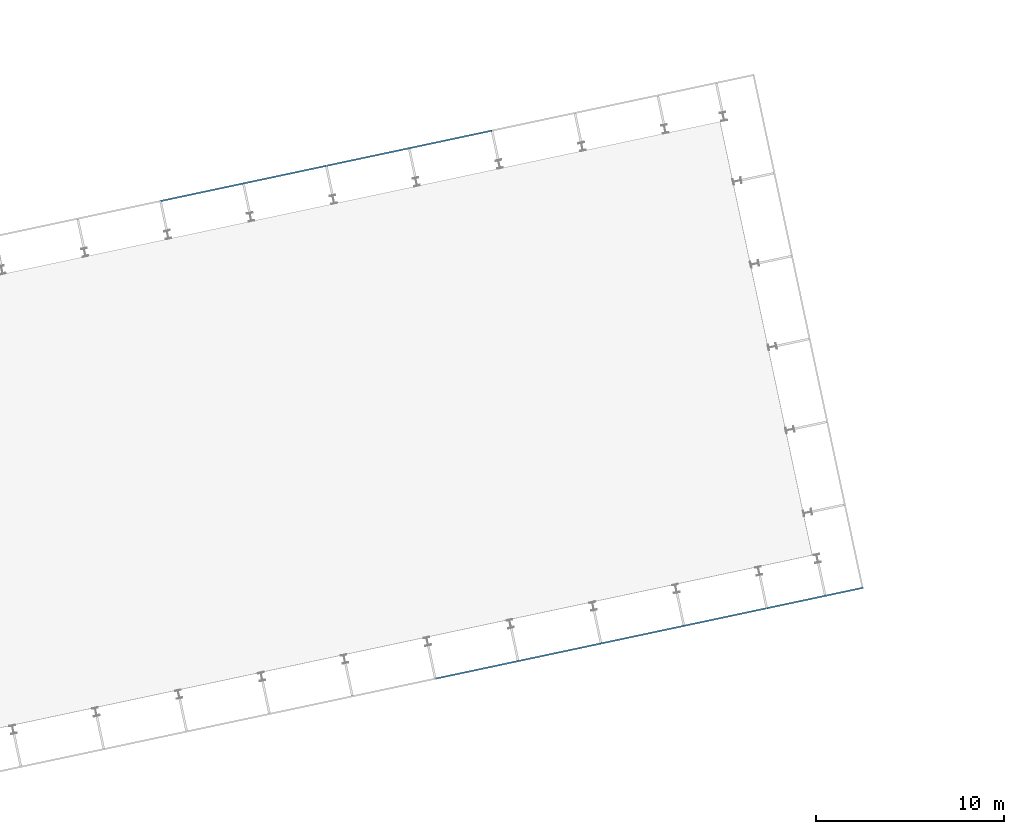
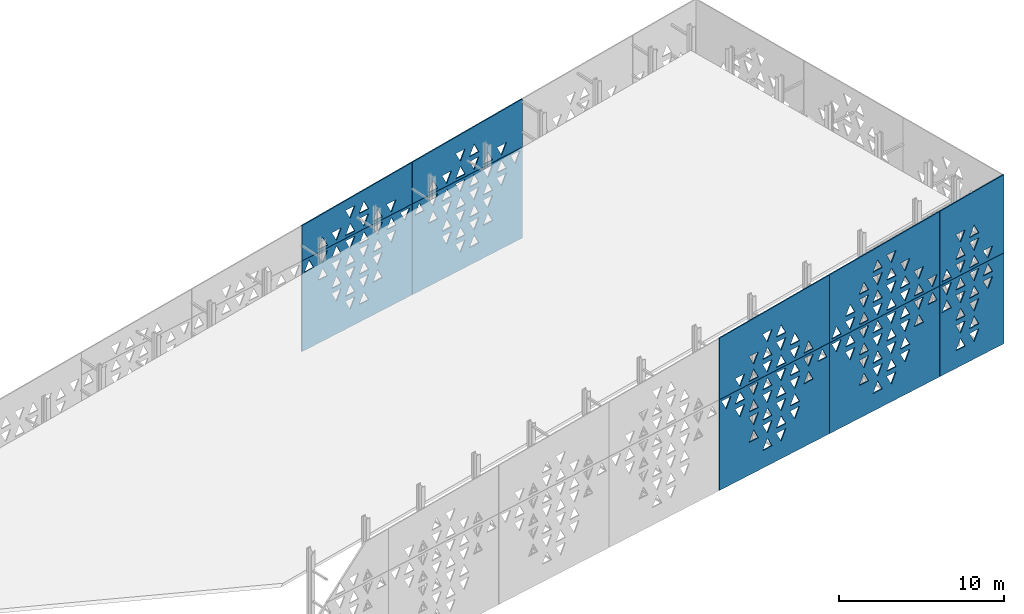
# One storey, part 27 of 41: 10 plates.
"""IFC4 building model written with IfcOpenShell, lengths in metres."""

from ifc_helpers import new_model, si_unit, direction, frame, origin, place, context, subcontext, project, spatial, polyline, outline, extrude, material, layer, layer_set, type_object, element, save


model = new_model("IFC4")

# Units and contexts
model_context = context("Model", 3, precision=1e-05, world=origin(), true_north=direction((0.0, 1.0)))
body_context = subcontext(model_context, "Body", "Model", "MODEL_VIEW")
ifc_project = project(units=[si_unit("LENGTHUNIT", "METRE"), si_unit("AREAUNIT", "SQUARE_METRE"), si_unit("VOLUMEUNIT", "CUBIC_METRE"), si_unit("PLANEANGLEUNIT", "RADIAN"), si_unit("MASSUNIT", "GRAM", prefix="KILO")], contexts=[model_context])

# Site, building, storey
site_placement = place(None, origin())
site = spatial("IfcSite", under=ifc_project, at=site_placement, CompositionType="ELEMENT")
building_placement = place(site_placement, origin())
building = spatial("IfcBuilding", under=site, at=building_placement, Name="Okhra Congress Centre", CompositionType="ELEMENT")
storey_placement = place(building_placement, frame((0.0, 0.0, 21.60009765625)))
storey = spatial("IfcBuildingStorey", under=building, at=storey_placement, Name="ROOF", CompositionType="ELEMENT", Elevation=21.60009765625)

# Plates
ifc_material = material(Name="Fired clay terracotta rainscreen panel, deep oxide-red glaze, non-combustible", Category="masonry")
ifc_layer_1 = layer(ifc_material, 0.080078125)
ifc_layer_set_1 = layer_set([ifc_layer_1], Name="Terracotta screen panel 5230 sloped top")
plate_type_1 = type_object("IfcPlateType", Name="Terracotta screen panel 5230 sloped top", PredefinedType="SHEET", material=ifc_layer_set_1)
plate_1_placement = place(storey_placement, frame((215.5, 57.57666015625, 6.949951171875), z_axis=(0.0, 0.0, 1.0), x_axis=(0.978146748157, 0.207915701837, 0.0)))
element("IfcPlate", 1, at=plate_1_placement, inside=storey, type_object=plate_type_1, Name="Screen panel S19 Parapet", PredefinedType="SHEET", context=body_context, shape_type="SweptSolid", body=[
    extrude(outline(polyline([(0.0, 0.0), (5.22998046875, 0.0), (5.22998046875, 5.783447265625), (0.0, 5.503662109375), (0.0, 0.0)]), holes=[polyline([(0.176513671875, 0.183837890625), (0.943603515625, 0.183837890625), (0.56005859375, 0.93603515625), (0.176513671875, 0.183837890625)]), polyline([(1.29638671875, 0.93603515625), (1.679931640625, 0.183837890625), (2.0634765625, 0.93603515625), (1.29638671875, 0.93603515625)]), polyline([(2.41650390625, 0.183837890625), (3.18359375, 0.183837890625), (2.800048828125, 0.93603515625), (2.41650390625, 0.183837890625)]), polyline([(3.536376953125, 0.93603515625), (3.919921875, 0.183837890625), (4.3037109375, 0.93603515625), (3.536376953125, 0.93603515625)]), polyline([(1.29638671875, 1.303955078125), (2.0634765625, 1.303955078125), (1.679931640625, 2.05615234375), (1.29638671875, 1.303955078125)]), polyline([(2.41650390625, 2.05615234375), (2.800048828125, 1.303955078125), (3.18359375, 2.05615234375), (2.41650390625, 2.05615234375)]), polyline([(1.29638671875, 3.176025390625), (1.679931640625, 2.423828125), (2.0634765625, 3.176025390625), (1.29638671875, 3.176025390625)]), polyline([(2.41650390625, 2.423828125), (3.18359375, 2.423828125), (2.800048828125, 3.176025390625), (2.41650390625, 2.423828125)])]), frame((0.0, 0.0400390625, 0.0), z_axis=(0.0, -1.0, 0.0), x_axis=(1.0, 0.0, 0.0)), (0.0, 0.0, 1.0), 0.080078125),
])
ifc_layer_2 = layer(ifc_material, 0.080078125)
ifc_layer_set_2 = layer_set([ifc_layer_2], Name="Terracotta screen panel 5230x6720")
plate_type_2 = type_object("IfcPlateType", Name="Terracotta screen panel 5230x6720", PredefinedType="SHEET", material=ifc_layer_set_2)
plate_2_placement = place(storey_placement, frame((215.5, 57.57666015625, 0.2099609375), z_axis=(0.0, 0.0, 1.0), x_axis=(0.978146748157, 0.207915701837, 0.0)))
element("IfcPlate", 2, at=plate_2_placement, inside=storey, type_object=plate_type_2, Name="Screen panel S19 Tier 3", PredefinedType="SHEET", context=body_context, shape_type="SweptSolid", body=[
    extrude(outline(polyline([(0.0, 0.0), (5.22998046875, 0.0), (5.22998046875, 6.719970703125), (0.0, 6.719970703125), (0.0, 0.0)]), holes=[polyline([(1.29638671875, 1.303955078125), (2.0634765625, 1.303955078125), (1.679931640625, 2.05615234375), (1.29638671875, 1.303955078125)]), polyline([(2.41650390625, 2.05615234375), (2.800048828125, 1.303955078125), (3.18359375, 2.05615234375), (2.41650390625, 2.05615234375)]), polyline([(1.29638671875, 3.176025390625), (1.679931640625, 2.423828125), (2.0634765625, 3.176025390625), (1.29638671875, 3.176025390625)]), polyline([(2.41650390625, 2.423828125), (3.18359375, 2.423828125), (2.800048828125, 3.176025390625), (2.41650390625, 2.423828125)]), polyline([(1.29638671875, 3.5439453125), (2.0634765625, 3.5439453125), (1.679931640625, 4.296142578125), (1.29638671875, 3.5439453125)]), polyline([(2.41650390625, 4.296142578125), (2.800048828125, 3.5439453125), (3.18359375, 4.296142578125), (2.41650390625, 4.296142578125)]), polyline([(0.176513671875, 4.663818359375), (0.943603515625, 4.663818359375), (0.56005859375, 5.416015625), (0.176513671875, 4.663818359375)]), polyline([(1.29638671875, 5.416015625), (1.679931640625, 4.663818359375), (2.0634765625, 5.416015625), (1.29638671875, 5.416015625)]), polyline([(2.41650390625, 4.663818359375), (3.18359375, 4.663818359375), (2.800048828125, 5.416015625), (2.41650390625, 4.663818359375)]), polyline([(3.536376953125, 5.416015625), (3.919921875, 4.663818359375), (4.3037109375, 5.416015625), (3.536376953125, 5.416015625)]), polyline([(0.176513671875, 6.5361328125), (0.56005859375, 5.783935546875), (0.943603515625, 6.5361328125), (0.176513671875, 6.5361328125)]), polyline([(1.29638671875, 5.783935546875), (2.0634765625, 5.783935546875), (1.679931640625, 6.5361328125), (1.29638671875, 5.783935546875)]), polyline([(2.41650390625, 6.5361328125), (2.800048828125, 5.783935546875), (3.18359375, 6.5361328125), (2.41650390625, 6.5361328125)]), polyline([(3.536376953125, 5.783935546875), (4.3037109375, 5.783935546875), (3.919921875, 6.5361328125), (3.536376953125, 5.783935546875)])]), frame((0.0, 0.0400390625, 0.0), z_axis=(0.0, -1.0, 0.0), x_axis=(1.0, 0.0, 0.0)), (0.0, 0.0, 1.0), 0.080078125),
])
ifc_layer_3 = layer(ifc_material, 0.080078125)
ifc_layer_set_3 = layer_set([ifc_layer_3], Name="Terracotta screen panel 8980 sloped top")
plate_type_3 = type_object("IfcPlateType", Name="Terracotta screen panel 8980 sloped top", PredefinedType="SHEET", material=ifc_layer_set_3)
plate_3_placement = place(storey_placement, frame((197.893310546875, 53.834228515625, 6.949951171875), z_axis=(0.0, 0.0, 1.0), x_axis=(0.978145237251, 0.207922809819, 0.0)))
element("IfcPlate", 3, at=plate_3_placement, inside=storey, type_object=plate_type_3, Name="Screen panel S17 Parapet", PredefinedType="SHEET", context=body_context, shape_type="SweptSolid", body=[
    extrude(outline(polyline([(0.0, 0.0), (8.97998046875, 0.0), (8.97998046875, 5.02099609375), (0.0, 4.54052734375), (0.0, 0.0)]), holes=[polyline([(1.29638671875, 0.93603515625), (1.679931640625, 0.183837890625), (2.0634765625, 0.93603515625), (1.29638671875, 0.93603515625)]), polyline([(2.41650390625, 0.183837890625), (3.18359375, 0.183837890625), (2.800048828125, 0.93603515625), (2.41650390625, 0.183837890625)]), polyline([(3.536376953125, 0.93603515625), (3.919921875, 0.183837890625), (4.3037109375, 0.93603515625), (3.536376953125, 0.93603515625)]), polyline([(4.656494140625, 0.183837890625), (5.423583984375, 0.183837890625), (5.0400390625, 0.93603515625), (4.656494140625, 0.183837890625)]), polyline([(5.7763671875, 0.93603515625), (6.159912109375, 0.183837890625), (6.543701171875, 0.93603515625), (5.7763671875, 0.93603515625)]), polyline([(6.896484375, 0.183837890625), (7.66357421875, 0.183837890625), (7.280029296875, 0.93603515625), (6.896484375, 0.183837890625)]), polyline([(2.41650390625, 2.05615234375), (2.800048828125, 1.303955078125), (3.18359375, 2.05615234375), (2.41650390625, 2.05615234375)]), polyline([(3.536376953125, 1.303955078125), (4.3037109375, 1.303955078125), (3.919921875, 2.05615234375), (3.536376953125, 1.303955078125)]), polyline([(4.656494140625, 2.05615234375), (5.0400390625, 1.303955078125), (5.423583984375, 2.05615234375), (4.656494140625, 2.05615234375)]), polyline([(5.7763671875, 1.303955078125), (6.543701171875, 1.303955078125), (6.159912109375, 2.05615234375), (5.7763671875, 1.303955078125)]), polyline([(3.536376953125, 3.176025390625), (3.919921875, 2.423828125), (4.3037109375, 3.176025390625), (3.536376953125, 3.176025390625)]), polyline([(4.656494140625, 2.423828125), (5.423583984375, 2.423828125), (5.0400390625, 3.176025390625), (4.656494140625, 2.423828125)])]), frame((0.0, 0.0400390625, 0.0), z_axis=(0.0, -1.0, 0.0), x_axis=(1.0, 0.0, 0.0)), (0.0, 0.0, 1.0), 0.080078125),
])
plate_4_placement = place(storey_placement, frame((206.69677734375, 55.70556640625, 6.949951171875), z_axis=(0.0, 0.0, 1.0), x_axis=(0.978149591018, 0.207902327047, 0.0)))
element("IfcPlate", 4, at=plate_4_placement, inside=storey, type_object=plate_type_3, Name="Screen panel S18 Parapet", PredefinedType="SHEET", context=body_context, shape_type="SweptSolid", body=[
    extrude(outline(polyline([(0.0, 0.0), (8.97998046875, 0.0), (8.97998046875, 5.502685546875), (0.0, 5.022216796875), (0.0, 0.0)]), holes=[polyline([(0.176513671875, 0.183837890625), (0.943603515625, 0.183837890625), (0.56005859375, 0.93603515625), (0.176513671875, 0.183837890625)]), polyline([(1.29638671875, 0.93603515625), (1.679931640625, 0.183837890625), (2.0634765625, 0.93603515625), (1.29638671875, 0.93603515625)]), polyline([(2.41650390625, 0.183837890625), (3.18359375, 0.183837890625), (2.800048828125, 0.93603515625), (2.41650390625, 0.183837890625)]), polyline([(3.536376953125, 0.93603515625), (3.919921875, 0.183837890625), (4.3037109375, 0.93603515625), (3.536376953125, 0.93603515625)]), polyline([(4.656494140625, 0.183837890625), (5.423583984375, 0.183837890625), (5.0400390625, 0.93603515625), (4.656494140625, 0.183837890625)]), polyline([(5.7763671875, 0.93603515625), (6.159912109375, 0.183837890625), (6.543701171875, 0.93603515625), (5.7763671875, 0.93603515625)]), polyline([(6.896484375, 0.183837890625), (7.66357421875, 0.183837890625), (7.280029296875, 0.93603515625), (6.896484375, 0.183837890625)]), polyline([(8.016357421875, 0.93603515625), (8.39990234375, 0.183837890625), (8.78369140625, 0.93603515625), (8.016357421875, 0.93603515625)]), polyline([(1.29638671875, 1.303955078125), (2.0634765625, 1.303955078125), (1.679931640625, 2.05615234375), (1.29638671875, 1.303955078125)]), polyline([(2.41650390625, 2.05615234375), (2.800048828125, 1.303955078125), (3.18359375, 2.05615234375), (2.41650390625, 2.05615234375)]), polyline([(3.536376953125, 1.303955078125), (4.3037109375, 1.303955078125), (3.919921875, 2.05615234375), (3.536376953125, 1.303955078125)]), polyline([(4.656494140625, 2.05615234375), (5.0400390625, 1.303955078125), (5.423583984375, 2.05615234375), (4.656494140625, 2.05615234375)]), polyline([(5.7763671875, 1.303955078125), (6.543701171875, 1.303955078125), (6.159912109375, 2.05615234375), (5.7763671875, 1.303955078125)]), polyline([(6.896484375, 2.05615234375), (7.280029296875, 1.303955078125), (7.66357421875, 2.05615234375), (6.896484375, 2.05615234375)]), polyline([(2.41650390625, 2.423828125), (3.18359375, 2.423828125), (2.800048828125, 3.176025390625), (2.41650390625, 2.423828125)]), polyline([(3.536376953125, 3.176025390625), (3.919921875, 2.423828125), (4.3037109375, 3.176025390625), (3.536376953125, 3.176025390625)]), polyline([(4.656494140625, 2.423828125), (5.423583984375, 2.423828125), (5.0400390625, 3.176025390625), (4.656494140625, 2.423828125)]), polyline([(5.7763671875, 3.176025390625), (6.159912109375, 2.423828125), (6.543701171875, 3.176025390625), (5.7763671875, 3.176025390625)]), polyline([(3.536376953125, 3.5439453125), (4.3037109375, 3.5439453125), (3.919921875, 4.296142578125), (3.536376953125, 3.5439453125)]), polyline([(4.656494140625, 4.296142578125), (5.0400390625, 3.5439453125), (5.423583984375, 4.296142578125), (4.656494140625, 4.296142578125)])]), frame((0.0, 0.0400390625, 0.0), z_axis=(0.0, -1.0, 0.0), x_axis=(1.0, 0.0, 0.0)), (0.0, 0.0, 1.0), 0.080078125),
])
plate_5_placement = place(storey_placement, frame((200.88671875, 82.942626953125, 6.949951171875), z_axis=(0.0, 0.0, 1.0), x_axis=(-0.978149591018, -0.207902327047, 0.0)))
element("IfcPlate", 5, at=plate_5_placement, inside=storey, type_object=plate_type_3, Name="Screen panel N3 Parapet", PredefinedType="SHEET", context=body_context, shape_type="SweptSolid", body=[
    extrude(outline(polyline([(0.0, 0.0), (8.97998046875, 0.0), (8.97998046875, 3.0810546875), (0.0, 3.5615234375), (0.0, 0.0)]), holes=[polyline([(1.29638671875, 0.93603515625), (1.679931640625, 0.183837890625), (2.0634765625, 0.93603515625), (1.29638671875, 0.93603515625)]), polyline([(2.41650390625, 0.183837890625), (3.18359375, 0.183837890625), (2.800048828125, 0.93603515625), (2.41650390625, 0.183837890625)]), polyline([(3.536376953125, 0.93603515625), (3.919921875, 0.183837890625), (4.3037109375, 0.93603515625), (3.536376953125, 0.93603515625)]), polyline([(4.656494140625, 0.183837890625), (5.423583984375, 0.183837890625), (5.0400390625, 0.93603515625), (4.656494140625, 0.183837890625)]), polyline([(5.7763671875, 0.93603515625), (6.159912109375, 0.183837890625), (6.543701171875, 0.93603515625), (5.7763671875, 0.93603515625)]), polyline([(6.896484375, 0.183837890625), (7.66357421875, 0.183837890625), (7.280029296875, 0.93603515625), (6.896484375, 0.183837890625)]), polyline([(3.536376953125, 1.303955078125), (4.3037109375, 1.303955078125), (3.919921875, 2.05615234375), (3.536376953125, 1.303955078125)]), polyline([(4.656494140625, 2.05615234375), (5.0400390625, 1.303955078125), (5.423583984375, 2.05615234375), (4.656494140625, 2.05615234375)])]), frame((0.0, 0.0400390625, 0.0), z_axis=(0.0, -1.0, 0.0), x_axis=(1.0, 0.0, 0.0)), (0.0, 0.0, 1.0), 0.080078125),
])
plate_6_placement = place(storey_placement, frame((192.08349609375, 81.071533203125, 6.949951171875), z_axis=(0.0, 0.0, 1.0), x_axis=(-0.978144061878, -0.207928339131, 0.0)))
element("IfcPlate", 6, at=plate_6_placement, inside=storey, type_object=plate_type_3, Name="Screen panel N4 Parapet", PredefinedType="SHEET", context=body_context, shape_type="SweptSolid", body=[
    extrude(outline(polyline([(0.0, 0.0), (8.97998046875, 0.0), (8.97998046875, 2.599365234375), (0.0, 3.079833984375), (0.0, 0.0)]), holes=[polyline([(1.29638671875, 0.93603515625), (1.679931640625, 0.183837890625), (2.0634765625, 0.93603515625), (1.29638671875, 0.93603515625)]), polyline([(2.41650390625, 0.183837890625), (3.18359375, 0.183837890625), (2.800048828125, 0.93603515625), (2.41650390625, 0.183837890625)]), polyline([(3.536376953125, 0.93603515625), (3.919921875, 0.183837890625), (4.3037109375, 0.93603515625), (3.536376953125, 0.93603515625)]), polyline([(4.656494140625, 0.183837890625), (5.423583984375, 0.183837890625), (5.0400390625, 0.93603515625), (4.656494140625, 0.183837890625)]), polyline([(5.7763671875, 0.93603515625), (6.159912109375, 0.183837890625), (6.543701171875, 0.93603515625), (5.7763671875, 0.93603515625)]), polyline([(6.896484375, 0.183837890625), (7.66357421875, 0.183837890625), (7.280029296875, 0.93603515625), (6.896484375, 0.183837890625)]), polyline([(3.536376953125, 1.303955078125), (4.3037109375, 1.303955078125), (3.919921875, 2.05615234375), (3.536376953125, 1.303955078125)]), polyline([(4.656494140625, 2.05615234375), (5.0400390625, 1.303955078125), (5.423583984375, 2.05615234375), (4.656494140625, 2.05615234375)])]), frame((0.0, 0.0400390625, 0.0), z_axis=(0.0, -1.0, 0.0), x_axis=(1.0, 0.0, 0.0)), (0.0, 0.0, 1.0), 0.080078125),
])
ifc_layer_4 = layer(ifc_material, 0.080078125)
ifc_layer_set_4 = layer_set([ifc_layer_4], Name="Terracotta screen panel 8980x6720")
plate_type_4 = type_object("IfcPlateType", Name="Terracotta screen panel 8980x6720", PredefinedType="SHEET", material=ifc_layer_set_4)
plate_7_placement = place(storey_placement, frame((197.893310546875, 53.834228515625, 0.2099609375), z_axis=(0.0, 0.0, 1.0), x_axis=(0.978145237251, 0.207922809819, 0.0)))
element("IfcPlate", 7, at=plate_7_placement, inside=storey, type_object=plate_type_4, Name="Screen panel S17 Tier 3", PredefinedType="SHEET", context=body_context, shape_type="SweptSolid", body=[
    extrude(outline(polyline([(0.0, 0.0), (8.980224609375, 0.0), (8.980224609375, 6.719970703125), (0.0, 6.719970703125), (0.0, 0.0)]), holes=[polyline([(3.536376953125, 1.303955078125), (4.3037109375, 1.303955078125), (3.919921875, 2.05615234375), (3.536376953125, 1.303955078125)]), polyline([(4.656494140625, 2.05615234375), (5.0400390625, 1.303955078125), (5.423583984375, 2.05615234375), (4.656494140625, 2.05615234375)]), polyline([(2.41650390625, 2.423828125), (3.18359375, 2.423828125), (2.800048828125, 3.176025390625), (2.41650390625, 2.423828125)]), polyline([(3.536376953125, 3.176025390625), (3.919921875, 2.423828125), (4.3037109375, 3.176025390625), (3.536376953125, 3.176025390625)]), polyline([(4.656494140625, 2.423828125), (5.423583984375, 2.423828125), (5.0400390625, 3.176025390625), (4.656494140625, 2.423828125)]), polyline([(5.7763671875, 3.176025390625), (6.159912109375, 2.423828125), (6.543701171875, 3.176025390625), (5.7763671875, 3.176025390625)]), polyline([(2.41650390625, 4.296142578125), (2.800048828125, 3.5439453125), (3.18359375, 4.296142578125), (2.41650390625, 4.296142578125)]), polyline([(3.536376953125, 3.5439453125), (4.3037109375, 3.5439453125), (3.919921875, 4.296142578125), (3.536376953125, 3.5439453125)]), polyline([(4.656494140625, 4.296142578125), (5.0400390625, 3.5439453125), (5.423583984375, 4.296142578125), (4.656494140625, 4.296142578125)]), polyline([(5.7763671875, 3.5439453125), (6.543701171875, 3.5439453125), (6.159912109375, 4.296142578125), (5.7763671875, 3.5439453125)]), polyline([(1.29638671875, 5.416015625), (1.679931640625, 4.663818359375), (2.0634765625, 5.416015625), (1.29638671875, 5.416015625)]), polyline([(2.41650390625, 4.663818359375), (3.18359375, 4.663818359375), (2.800048828125, 5.416015625), (2.41650390625, 4.663818359375)]), polyline([(3.536376953125, 5.416015625), (3.919921875, 4.663818359375), (4.3037109375, 5.416015625), (3.536376953125, 5.416015625)]), polyline([(4.656494140625, 4.663818359375), (5.423583984375, 4.663818359375), (5.0400390625, 5.416015625), (4.656494140625, 4.663818359375)]), polyline([(5.7763671875, 5.416015625), (6.159912109375, 4.663818359375), (6.543701171875, 5.416015625), (5.7763671875, 5.416015625)]), polyline([(6.896484375, 4.663818359375), (7.66357421875, 4.663818359375), (7.280029296875, 5.416015625), (6.896484375, 4.663818359375)]), polyline([(0.176513671875, 6.5361328125), (0.56005859375, 5.783935546875), (0.943603515625, 6.5361328125), (0.176513671875, 6.5361328125)]), polyline([(1.29638671875, 5.783935546875), (2.0634765625, 5.783935546875), (1.679931640625, 6.5361328125), (1.29638671875, 5.783935546875)]), polyline([(2.41650390625, 6.5361328125), (2.800048828125, 5.783935546875), (3.18359375, 6.5361328125), (2.41650390625, 6.5361328125)]), polyline([(3.536376953125, 5.783935546875), (4.3037109375, 5.783935546875), (3.919921875, 6.5361328125), (3.536376953125, 5.783935546875)]), polyline([(4.656494140625, 6.5361328125), (5.0400390625, 5.783935546875), (5.423583984375, 6.5361328125), (4.656494140625, 6.5361328125)]), polyline([(5.7763671875, 5.783935546875), (6.543701171875, 5.783935546875), (6.159912109375, 6.5361328125), (5.7763671875, 5.783935546875)]), polyline([(6.896484375, 6.5361328125), (7.280029296875, 5.783935546875), (7.66357421875, 6.5361328125), (6.896484375, 6.5361328125)]), polyline([(8.016357421875, 5.783935546875), (8.78369140625, 5.783935546875), (8.39990234375, 6.5361328125), (8.016357421875, 5.783935546875)])]), frame((0.0, 0.0400390625, 0.0), z_axis=(0.0, -1.0, 0.0), x_axis=(1.0, 0.0, 0.0)), (0.0, 0.0, 1.0), 0.080078125),
])
plate_8_placement = place(storey_placement, frame((206.69677734375, 55.70556640625, 0.2099609375), z_axis=(0.0, 0.0, 1.0), x_axis=(0.978149591018, 0.207902327047, 0.0)))
element("IfcPlate", 8, at=plate_8_placement, inside=storey, type_object=plate_type_4, Name="Screen panel S18 Tier 3", PredefinedType="SHEET", context=body_context, shape_type="SweptSolid", body=[
    extrude(outline(polyline([(0.0, 0.0), (8.97998046875, 0.0), (8.97998046875, 6.719970703125), (0.0, 6.719970703125), (0.0, 0.0)]), holes=[polyline([(3.536376953125, 1.303955078125), (4.3037109375, 1.303955078125), (3.919921875, 2.05615234375), (3.536376953125, 1.303955078125)]), polyline([(4.656494140625, 2.05615234375), (5.0400390625, 1.303955078125), (5.423583984375, 2.05615234375), (4.656494140625, 2.05615234375)]), polyline([(2.41650390625, 2.423828125), (3.18359375, 2.423828125), (2.800048828125, 3.176025390625), (2.41650390625, 2.423828125)]), polyline([(3.536376953125, 3.176025390625), (3.919921875, 2.423828125), (4.3037109375, 3.176025390625), (3.536376953125, 3.176025390625)]), polyline([(4.656494140625, 2.423828125), (5.423583984375, 2.423828125), (5.0400390625, 3.176025390625), (4.656494140625, 2.423828125)]), polyline([(5.7763671875, 3.176025390625), (6.159912109375, 2.423828125), (6.543701171875, 3.176025390625), (5.7763671875, 3.176025390625)]), polyline([(2.41650390625, 4.296142578125), (2.800048828125, 3.5439453125), (3.18359375, 4.296142578125), (2.41650390625, 4.296142578125)]), polyline([(3.536376953125, 3.5439453125), (4.3037109375, 3.5439453125), (3.919921875, 4.296142578125), (3.536376953125, 3.5439453125)]), polyline([(4.656494140625, 4.296142578125), (5.0400390625, 3.5439453125), (5.423583984375, 4.296142578125), (4.656494140625, 4.296142578125)]), polyline([(5.7763671875, 3.5439453125), (6.543701171875, 3.5439453125), (6.159912109375, 4.296142578125), (5.7763671875, 3.5439453125)]), polyline([(1.29638671875, 5.416015625), (1.679931640625, 4.663818359375), (2.0634765625, 5.416015625), (1.29638671875, 5.416015625)]), polyline([(2.41650390625, 4.663818359375), (3.18359375, 4.663818359375), (2.800048828125, 5.416015625), (2.41650390625, 4.663818359375)]), polyline([(3.536376953125, 5.416015625), (3.919921875, 4.663818359375), (4.3037109375, 5.416015625), (3.536376953125, 5.416015625)]), polyline([(4.656494140625, 4.663818359375), (5.423583984375, 4.663818359375), (5.0400390625, 5.416015625), (4.656494140625, 4.663818359375)]), polyline([(5.7763671875, 5.416015625), (6.159912109375, 4.663818359375), (6.543701171875, 5.416015625), (5.7763671875, 5.416015625)]), polyline([(6.896484375, 4.663818359375), (7.66357421875, 4.663818359375), (7.280029296875, 5.416015625), (6.896484375, 4.663818359375)]), polyline([(0.176513671875, 6.5361328125), (0.56005859375, 5.783935546875), (0.943603515625, 6.5361328125), (0.176513671875, 6.5361328125)]), polyline([(1.29638671875, 5.783935546875), (2.0634765625, 5.783935546875), (1.679931640625, 6.5361328125), (1.29638671875, 5.783935546875)]), polyline([(2.41650390625, 6.5361328125), (2.800048828125, 5.783935546875), (3.18359375, 6.5361328125), (2.41650390625, 6.5361328125)]), polyline([(3.536376953125, 5.783935546875), (4.3037109375, 5.783935546875), (3.919921875, 6.5361328125), (3.536376953125, 5.783935546875)]), polyline([(4.656494140625, 6.5361328125), (5.0400390625, 5.783935546875), (5.423583984375, 6.5361328125), (4.656494140625, 6.5361328125)]), polyline([(5.7763671875, 5.783935546875), (6.543701171875, 5.783935546875), (6.159912109375, 6.5361328125), (5.7763671875, 5.783935546875)]), polyline([(6.896484375, 6.5361328125), (7.280029296875, 5.783935546875), (7.66357421875, 6.5361328125), (6.896484375, 6.5361328125)]), polyline([(8.016357421875, 5.783935546875), (8.78369140625, 5.783935546875), (8.39990234375, 6.5361328125), (8.016357421875, 5.783935546875)])]), frame((0.0, 0.0400390625, 0.0), z_axis=(0.0, -1.0, 0.0), x_axis=(1.0, 0.0, 0.0)), (0.0, 0.0, 1.0), 0.080078125),
])
plate_9_placement = place(storey_placement, frame((200.88671875, 82.942626953125, 0.2099609375), z_axis=(0.0, 0.0, 1.0), x_axis=(-0.978149591018, -0.207902327047, 0.0)))
element("IfcPlate", 9, at=plate_9_placement, inside=storey, type_object=plate_type_4, Name="Screen panel N3 Tier 3", PredefinedType="SHEET", context=body_context, shape_type="SweptSolid", body=[
    extrude(outline(polyline([(0.0, 0.0), (8.97998046875, 0.0), (8.97998046875, 6.719970703125), (0.0, 6.719970703125), (0.0, 0.0)]), holes=[polyline([(3.536376953125, 1.303955078125), (4.3037109375, 1.303955078125), (3.919921875, 2.05615234375), (3.536376953125, 1.303955078125)]), polyline([(4.656494140625, 2.05615234375), (5.0400390625, 1.303955078125), (5.423583984375, 2.05615234375), (4.656494140625, 2.05615234375)]), polyline([(2.41650390625, 2.423828125), (3.18359375, 2.423828125), (2.800048828125, 3.176025390625), (2.41650390625, 2.423828125)]), polyline([(3.536376953125, 3.176025390625), (3.919921875, 2.423828125), (4.3037109375, 3.176025390625), (3.536376953125, 3.176025390625)]), polyline([(4.656494140625, 2.423828125), (5.423583984375, 2.423828125), (5.0400390625, 3.176025390625), (4.656494140625, 2.423828125)]), polyline([(5.7763671875, 3.176025390625), (6.159912109375, 2.423828125), (6.543701171875, 3.176025390625), (5.7763671875, 3.176025390625)]), polyline([(2.41650390625, 4.296142578125), (2.800048828125, 3.5439453125), (3.18359375, 4.296142578125), (2.41650390625, 4.296142578125)]), polyline([(3.536376953125, 3.5439453125), (4.3037109375, 3.5439453125), (3.919921875, 4.296142578125), (3.536376953125, 3.5439453125)]), polyline([(4.656494140625, 4.296142578125), (5.0400390625, 3.5439453125), (5.423583984375, 4.296142578125), (4.656494140625, 4.296142578125)]), polyline([(5.7763671875, 3.5439453125), (6.543701171875, 3.5439453125), (6.159912109375, 4.296142578125), (5.7763671875, 3.5439453125)]), polyline([(1.29638671875, 5.416015625), (1.679931640625, 4.663818359375), (2.0634765625, 5.416015625), (1.29638671875, 5.416015625)]), polyline([(2.41650390625, 4.663818359375), (3.18359375, 4.663818359375), (2.800048828125, 5.416015625), (2.41650390625, 4.663818359375)]), polyline([(3.536376953125, 5.416015625), (3.919921875, 4.663818359375), (4.3037109375, 5.416015625), (3.536376953125, 5.416015625)]), polyline([(4.656494140625, 4.663818359375), (5.423583984375, 4.663818359375), (5.0400390625, 5.416015625), (4.656494140625, 4.663818359375)]), polyline([(5.7763671875, 5.416015625), (6.159912109375, 4.663818359375), (6.543701171875, 5.416015625), (5.7763671875, 5.416015625)]), polyline([(6.896484375, 4.663818359375), (7.66357421875, 4.663818359375), (7.280029296875, 5.416015625), (6.896484375, 4.663818359375)]), polyline([(0.176513671875, 6.5361328125), (0.56005859375, 5.783935546875), (0.943603515625, 6.5361328125), (0.176513671875, 6.5361328125)]), polyline([(1.29638671875, 5.783935546875), (2.0634765625, 5.783935546875), (1.679931640625, 6.5361328125), (1.29638671875, 5.783935546875)]), polyline([(2.41650390625, 6.5361328125), (2.800048828125, 5.783935546875), (3.18359375, 6.5361328125), (2.41650390625, 6.5361328125)]), polyline([(3.536376953125, 5.783935546875), (4.3037109375, 5.783935546875), (3.919921875, 6.5361328125), (3.536376953125, 5.783935546875)]), polyline([(4.656494140625, 6.5361328125), (5.0400390625, 5.783935546875), (5.423583984375, 6.5361328125), (4.656494140625, 6.5361328125)]), polyline([(5.7763671875, 5.783935546875), (6.543701171875, 5.783935546875), (6.159912109375, 6.5361328125), (5.7763671875, 5.783935546875)]), polyline([(6.896484375, 6.5361328125), (7.280029296875, 5.783935546875), (7.66357421875, 6.5361328125), (6.896484375, 6.5361328125)]), polyline([(8.016357421875, 5.783935546875), (8.78369140625, 5.783935546875), (8.39990234375, 6.5361328125), (8.016357421875, 5.783935546875)])]), frame((0.0, 0.0400390625, 0.0), z_axis=(0.0, -1.0, 0.0), x_axis=(1.0, 0.0, 0.0)), (0.0, 0.0, 1.0), 0.080078125),
])
plate_10_placement = place(storey_placement, frame((192.08349609375, 81.071533203125, 0.2099609375), z_axis=(0.0, 0.0, 1.0), x_axis=(-0.978144061878, -0.207928339131, 0.0)))
element("IfcPlate", 10, at=plate_10_placement, inside=storey, type_object=plate_type_4, Name="Screen panel N4 Tier 3", PredefinedType="SHEET", context=body_context, shape_type="SweptSolid", body=[
    extrude(outline(polyline([(0.0, 0.0), (8.97998046875, 0.0), (8.97998046875, 6.719970703125), (0.0, 6.719970703125), (0.0, 0.0)]), holes=[polyline([(3.536376953125, 1.303955078125), (4.3037109375, 1.303955078125), (3.919921875, 2.05615234375), (3.536376953125, 1.303955078125)]), polyline([(4.656494140625, 2.05615234375), (5.0400390625, 1.303955078125), (5.423583984375, 2.05615234375), (4.656494140625, 2.05615234375)]), polyline([(2.41650390625, 2.423828125), (3.18359375, 2.423828125), (2.800048828125, 3.176025390625), (2.41650390625, 2.423828125)]), polyline([(3.536376953125, 3.176025390625), (3.919921875, 2.423828125), (4.3037109375, 3.176025390625), (3.536376953125, 3.176025390625)]), polyline([(4.656494140625, 2.423828125), (5.423583984375, 2.423828125), (5.0400390625, 3.176025390625), (4.656494140625, 2.423828125)]), polyline([(5.7763671875, 3.176025390625), (6.159912109375, 2.423828125), (6.543701171875, 3.176025390625), (5.7763671875, 3.176025390625)]), polyline([(2.41650390625, 4.296142578125), (2.800048828125, 3.5439453125), (3.18359375, 4.296142578125), (2.41650390625, 4.296142578125)]), polyline([(3.536376953125, 3.5439453125), (4.3037109375, 3.5439453125), (3.919921875, 4.296142578125), (3.536376953125, 3.5439453125)]), polyline([(4.656494140625, 4.296142578125), (5.0400390625, 3.5439453125), (5.423583984375, 4.296142578125), (4.656494140625, 4.296142578125)]), polyline([(5.7763671875, 3.5439453125), (6.543701171875, 3.5439453125), (6.159912109375, 4.296142578125), (5.7763671875, 3.5439453125)]), polyline([(1.29638671875, 5.416015625), (1.679931640625, 4.663818359375), (2.0634765625, 5.416015625), (1.29638671875, 5.416015625)]), polyline([(2.41650390625, 4.663818359375), (3.18359375, 4.663818359375), (2.800048828125, 5.416015625), (2.41650390625, 4.663818359375)]), polyline([(3.536376953125, 5.416015625), (3.919921875, 4.663818359375), (4.3037109375, 5.416015625), (3.536376953125, 5.416015625)]), polyline([(4.656494140625, 4.663818359375), (5.423583984375, 4.663818359375), (5.0400390625, 5.416015625), (4.656494140625, 4.663818359375)]), polyline([(5.7763671875, 5.416015625), (6.159912109375, 4.663818359375), (6.543701171875, 5.416015625), (5.7763671875, 5.416015625)]), polyline([(6.896484375, 4.663818359375), (7.66357421875, 4.663818359375), (7.280029296875, 5.416015625), (6.896484375, 4.663818359375)]), polyline([(0.176513671875, 6.5361328125), (0.56005859375, 5.783935546875), (0.943603515625, 6.5361328125), (0.176513671875, 6.5361328125)]), polyline([(1.29638671875, 5.783935546875), (2.0634765625, 5.783935546875), (1.679931640625, 6.5361328125), (1.29638671875, 5.783935546875)]), polyline([(2.41650390625, 6.5361328125), (2.800048828125, 5.783935546875), (3.18359375, 6.5361328125), (2.41650390625, 6.5361328125)]), polyline([(3.536376953125, 5.783935546875), (4.3037109375, 5.783935546875), (3.919921875, 6.5361328125), (3.536376953125, 5.783935546875)]), polyline([(4.656494140625, 6.5361328125), (5.0400390625, 5.783935546875), (5.423583984375, 6.5361328125), (4.656494140625, 6.5361328125)]), polyline([(5.7763671875, 5.783935546875), (6.543701171875, 5.783935546875), (6.159912109375, 6.5361328125), (5.7763671875, 5.783935546875)]), polyline([(6.896484375, 6.5361328125), (7.280029296875, 5.783935546875), (7.66357421875, 6.5361328125), (6.896484375, 6.5361328125)]), polyline([(8.016357421875, 5.783935546875), (8.78369140625, 5.783935546875), (8.39990234375, 6.5361328125), (8.016357421875, 5.783935546875)])]), frame((0.0, 0.0400390625, 0.0), z_axis=(0.0, -1.0, 0.0), x_axis=(1.0, 0.0, 0.0)), (0.0, 0.0, 1.0), 0.080078125),
])

save(model, "model.ifc")
